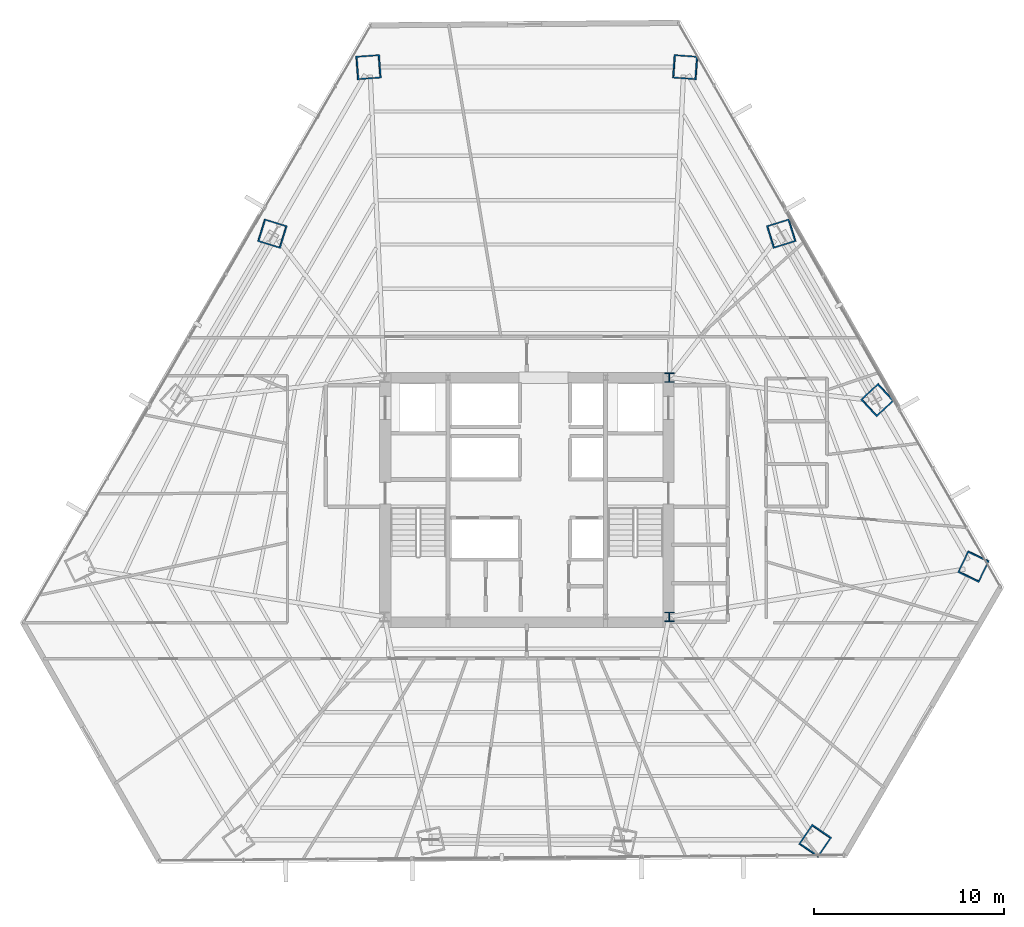
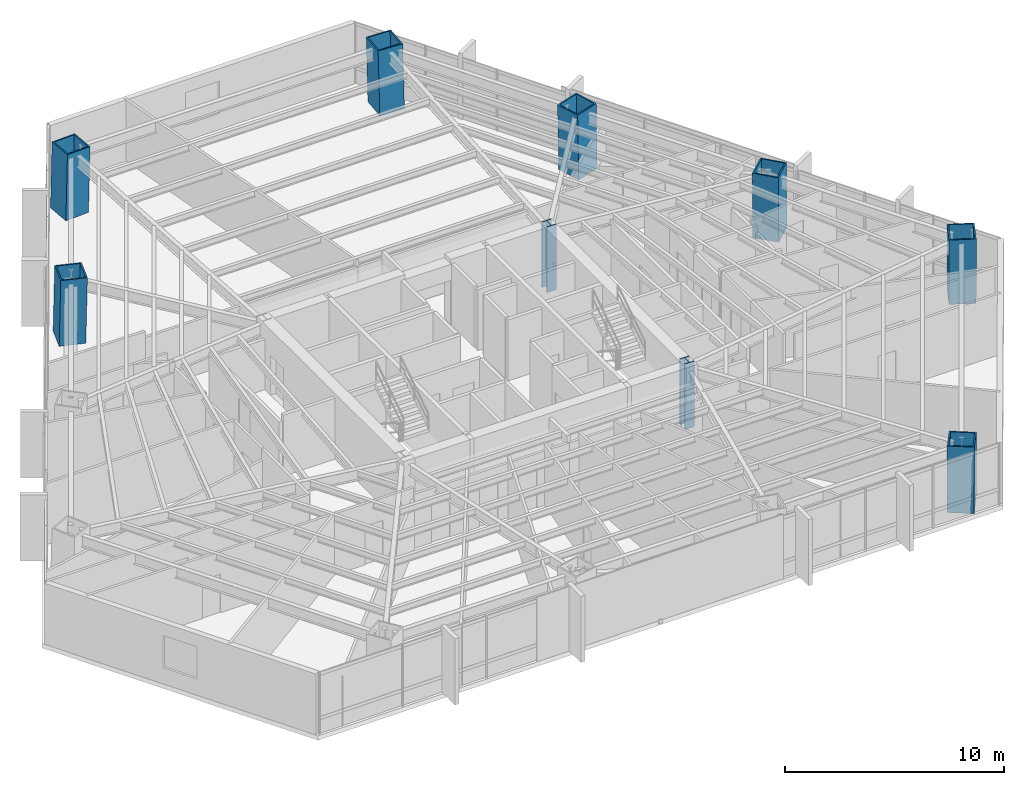
# One storey, part 3 of 38: 9 columns.
"""IFC4 building model written with IfcOpenShell, lengths in metres."""

from ifc_helpers import new_model, si_unit, direction, frame, origin, origin_2d, place, context, subcontext, project, spatial, hollow_rectangle, i_section, extrude, source, transform, mapped, material, material_profile, profile_set, type_object, type_shapes, element, save


model = new_model("IFC4")

# Units and contexts
model_context = context("Model", 3, precision=1e-05, world=origin(), true_north=direction((0.0, 1.0)))
body_context = subcontext(model_context, "Body", "Model", "MODEL_VIEW")
ifc_project = project(units=[si_unit("LENGTHUNIT", "METRE"), si_unit("AREAUNIT", "SQUARE_METRE"), si_unit("VOLUMEUNIT", "CUBIC_METRE"), si_unit("PLANEANGLEUNIT", "RADIAN"), si_unit("MASSUNIT", "GRAM", prefix="KILO")], contexts=[model_context])

# Site, building, storey
site_placement = place(None, origin())
site = spatial("IfcSite", under=ifc_project, at=site_placement, CompositionType="ELEMENT")
building_placement = place(site_placement, origin())
building = spatial("IfcBuilding", under=site, at=building_placement, Name="Caelisora Broadcast Tower", CompositionType="ELEMENT")
storey_placement = place(building_placement, frame((0.0, 0.0, 67.75)))
storey = spatial("IfcBuildingStorey", under=building, at=storey_placement, Name="L17", CompositionType="ELEMENT", Elevation=67.75)

# Columns
ifc_material_1 = material(Name="Steel Grade 350 (AS/NZS 3679.2)", Category="steel")
ifc_material_profile_1 = material_profile(ifc_material_1, i_section(OverallWidth=0.5, OverallDepth=0.5, WebThickness=0.028076171875, FlangeThickness=0.0400390625, at=origin_2d()), Name="Steel Grade 350 (AS/NZS 3679.2)")
ifc_profile_set_1 = profile_set([ifc_material_profile_1], Name="Steel Grade 350 (AS/NZS 3679.2)")
column_type_1 = type_object("IfcColumnType", Name="CC01", PredefinedType="COLUMN", material=ifc_profile_set_1)
shared_shape_1 = source(origin(), body_context, "Body", "SweptSolid", [
    extrude(i_section(OverallWidth=0.5, OverallDepth=0.5, WebThickness=0.028076171875, FlangeThickness=0.0400390625, at=origin_2d()), origin(), (0.0, 0.0, 1.0), 3.64990234375),
])
type_shapes(column_type_1, [shared_shape_1])
for number, where, z_axis, x_axis, name in (
    (1, (45.5, 17.39990234375, 0.0), (0.0, 0.0, 1.0), (1.0, 0.0, 0.0), "L17 column CC01"),
    (2, (45.5, 30.0, 0.0), (0.0, 0.0, 1.0), (1.0, 0.0, 0.0), "L17 column CC01"),
):
    element("IfcColumn", number, at=place(storey_placement, frame(where, z_axis=z_axis, x_axis=x_axis)), inside=storey, type_object=column_type_1, Name=name, PredefinedType="COLUMN", context=body_context, shape_type="MappedRepresentation", body=[
        mapped(shared_shape_1, transform((0.0, 0.0, 0.0), scale=1.0)),
    ])
ifc_material_2 = material(Name="Steel Grade 350 L15 (AS/NZS 3678)", Category="steel")
ifc_material_profile_2 = material_profile(ifc_material_2, hollow_rectangle(XDim=1.25, YDim=1.25, WallThickness=0.070068359375, at=origin_2d()), Name="Steel Grade 350 L15 (AS/NZS 3678)")
ifc_profile_set_2 = profile_set([ifc_material_profile_2], Name="Steel Grade 350 L15 (AS/NZS 3678)")
column_type_2 = type_object("IfcColumnType", Name="MC02", PredefinedType="COLUMN", material=ifc_profile_set_2)
shared_shape_2 = source(origin(), body_context, "Body", "SweptSolid", [
    extrude(hollow_rectangle(XDim=1.25, YDim=1.25, WallThickness=0.070068359375, at=origin_2d()), origin(), (0.0, 0.0, 1.0), 3.65087890625),
])
for number, where, z_axis, x_axis, name in (
    (3, (46.352294921875, 46.3427734375, 0.0), (-0.023872756997, 0.001738632162, 0.999713493273), (-0.07263675076, -0.997358462359, 0.0), "L17 column MC02"),
    (4, (29.647705078125, 46.3427734375, 0.0), (0.023872756997, 0.001738632162, 0.999713493273), (-0.07263675076, 0.997358462359, 0.0), "L17 column MC02"),
    (5, (53.173095703125, 5.59521484375, 0.0), (0.013507825582, 0.019793645407, 0.999712833893), (-0.825991119814, 0.563683129062, 0.0), "L17 column MC02"),
    (6, (61.525390625, 20.06201171875, 0.0), (-0.010364932146, -0.021532310652, 0.999714423113), (0.901042175273, -0.433731481886, 0.0), "L17 column MC02"),
):
    element("IfcColumn", number, at=place(storey_placement, frame(where, z_axis=z_axis, x_axis=x_axis)), inside=storey, type_object=column_type_2, Name=name, PredefinedType="COLUMN", context=body_context, shape_type="MappedRepresentation", body=[
        mapped(shared_shape_2, transform((0.0, 0.0, 0.0), scale=1.0)),
    ])
shared_shape_3 = source(origin(), body_context, "Body", "SweptSolid", [
    extrude(hollow_rectangle(XDim=1.25, YDim=1.25, WallThickness=0.070068359375, at=origin_2d()), origin(), (0.0, 0.0, 1.0), 3.650634765625),
])
type_shapes(column_type_2, [shared_shape_2, shared_shape_3])
for number, where, z_axis, x_axis, name in (
    (7, (24.58984375, 37.58251953125, 0.0), (0.019393993486, -0.006018825565, 0.999793802119), (0.296399214872, 0.955064136811, 0.0), "L17 column MC02"),
    (8, (56.4677734375, 28.822265625, 0.0), (-0.014913313399, -0.013776424037, 0.999793880369), (0.678553674548, -0.734550822447, 0.0), "L17 column MC02"),
    (9, (51.41015625, 37.58251953125, 0.0), (-0.019393993486, -0.006018825565, 0.999793802119), (0.296399214872, -0.955064136811, 0.0), "L17 column MC02"),
):
    element("IfcColumn", number, at=place(storey_placement, frame(where, z_axis=z_axis, x_axis=x_axis)), inside=storey, type_object=column_type_2, Name=name, PredefinedType="COLUMN", context=body_context, shape_type="MappedRepresentation", body=[
        mapped(shared_shape_3, transform((0.0, 0.0, 0.0), scale=1.0)),
    ])

save(model, "model.ifc")
